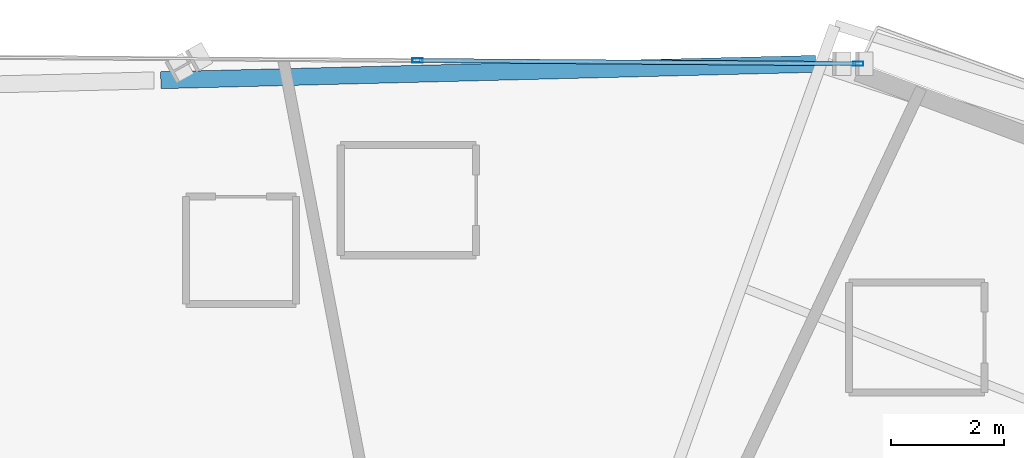
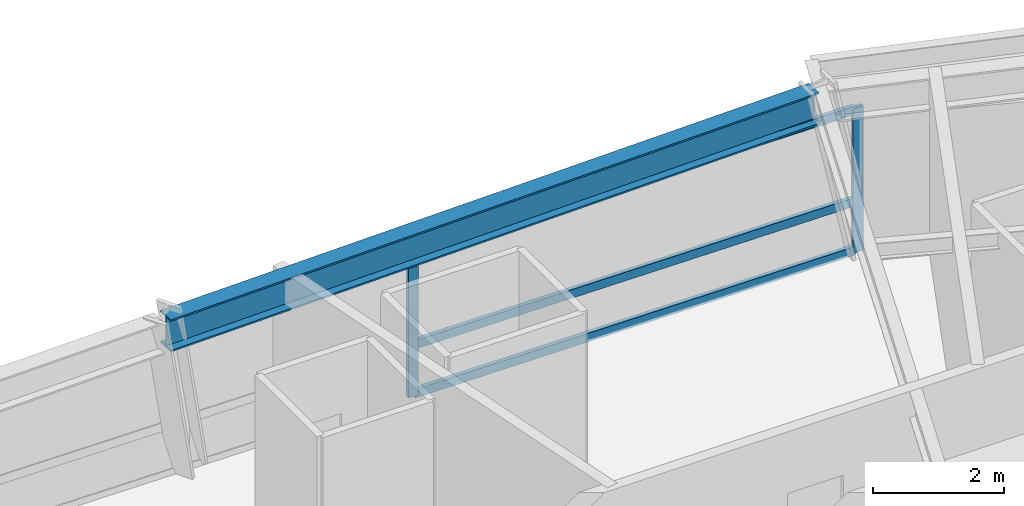
# One storey, part 9 of 22: 5 members, 1 beam, 1 element without a shape of its own.
"""IFC4 building model written with IfcOpenShell, lengths in metres."""

from ifc_helpers import new_model, si_unit, direction, frame, origin, origin_2d, place, context, subcontext, project, spatial, hollow_rectangle, i_section, extrude, source, transform, mapped, material, material_profile, profile_set, type_object, element, aggregate, save


model = new_model("IFC4")

# Units and contexts
model_context = context("Model", 3, precision=1e-05, world=origin(), true_north=direction((0.0, 1.0)))
body_context = subcontext(model_context, "Body", "Model", "MODEL_VIEW")
ifc_project = project(units=[si_unit("LENGTHUNIT", "METRE"), si_unit("AREAUNIT", "SQUARE_METRE"), si_unit("VOLUMEUNIT", "CUBIC_METRE"), si_unit("PLANEANGLEUNIT", "RADIAN"), si_unit("MASSUNIT", "GRAM", prefix="KILO")], contexts=[model_context])

# Site, building, storey
site_placement = place(None, origin())
site = spatial("IfcSite", under=ifc_project, at=site_placement, CompositionType="ELEMENT")
building_placement = place(site_placement, origin())
building = spatial("IfcBuilding", under=site, at=building_placement, Name="Olszyna Solenne Hotel", CompositionType="ELEMENT")
storey_placement = place(building_placement, frame((0.0, 0.0, 95.050048828125)))
storey = spatial("IfcBuildingStorey", under=building, at=storey_placement, Name="L24", CompositionType="ELEMENT", Elevation=95.050048828125)

# Beam
ifc_material_1 = material(Name="Steel S355J2", Category="steel")
ifc_material_profile_1 = material_profile(ifc_material_1, i_section(OverallWidth=0.300048828125, OverallDepth=0.60009765625, WebThickness=0.015380859375, FlangeThickness=0.030029296875, at=origin_2d()), Name="HEB 600", Category="load-bearing")
ifc_profile_set_1 = profile_set([ifc_material_profile_1], Name="Steel S355J2")
beam_type = type_object("IfcBeamType", Name="BM-S2", PredefinedType="BEAM", material=ifc_profile_set_1)
shared_shape_1 = source(origin(), body_context, "Body", "SweptSolid", [
    extrude(i_section(OverallWidth=0.300048828125, OverallDepth=0.60009765625, WebThickness=0.015380859375, FlangeThickness=0.030029296875, at=origin_2d()), origin(), (0.0, 0.0, 1.0), 11.60400390625),
])
beam_placement = place(storey_placement, frame((44.10009765625, 43.979248046875, 3.0), z_axis=(-0.999687580698, -0.024994819444, 0.0), x_axis=(0.024994819444, -0.999687580698, 0.0)))
element("IfcBeam", 1, at=beam_placement, inside=storey, type_object=beam_type, Name="Perimeter spandrel beam BM-S2 B-L24-0722", PredefinedType="BEAM", context=body_context, shape_type="MappedRepresentation", body=[
    mapped(shared_shape_1, transform((0.0, 0.0, 0.0), x_axis=(1.0, 0.0, 0.0), y_axis=(0.0, 1.0, 0.0), z_axis=(0.0, 0.0, 1.0), scale=1.0)),
])

# Curtain wall, members
ifc_material_2 = material(Name="Anodised bronze aluminium", Category="aluminium")
curtain_wall_type = type_object("IfcCurtainWallType", Name="CW-SYS-3", PredefinedType="NOTDEFINED", material=ifc_material_2)
curtain_wall_placement = place(storey_placement, origin())
curtain_wall = element("IfcCurtainWall", 2, at=curtain_wall_placement, inside=storey, type_object=curtain_wall_type, Name="Unitised curtain wall CW-SYS-3 CW-L24-02", PredefinedType="NOTDEFINED")
ifc_material_profile_2 = material_profile(ifc_material_2, hollow_rectangle(XDim=0.074951171875, YDim=0.159912109375, WallThickness=0.00390625, at=origin_2d()), Name="TRAN 160x75x4", Category="load-bearing")
ifc_profile_set_2 = profile_set([ifc_material_profile_2], Name="Anodised bronze aluminium")
member_type_1 = type_object("IfcMemberType", Name="CW-T1", PredefinedType="USERDEFINED", material=ifc_profile_set_2)
shared_shape_2 = source(origin(), body_context, "Body", "SweptSolid", [
    extrude(hollow_rectangle(XDim=0.074951171875, YDim=0.159912109375, WallThickness=0.00390625, at=origin_2d()), origin(), (0.0, 0.0, 1.0), 7.7353515625),
])
member_1_placement = place(storey_placement, frame((37.086181640625, 44.03955078125, 0.037353515625), z_axis=(0.999971310617, -0.007574822919, 0.0), x_axis=(0.007574822919, 0.999971310617, 0.0)))
member_1 = element("IfcMember", 3, at=member_1_placement, type_object=member_type_1, Name="Curtain-wall transom CW-T1 CT-L24-02-07", ObjectType="TRANSOM", PredefinedType="USERDEFINED", context=body_context, shape_type="MappedRepresentation", body=[
    mapped(shared_shape_2, transform((0.0, 0.0, 0.0), x_axis=(1.0, 0.0, 0.0), y_axis=(0.0, 1.0, 0.0), z_axis=(0.0, 0.0, 1.0), scale=1.0)),
])
member_2_placement = place(storey_placement, frame((37.086181640625, 44.03955078125, 0.949951171875), z_axis=(0.999971310617, -0.007574822919, 0.0), x_axis=(0.007574822919, 0.999971310617, 0.0)))
member_2 = element("IfcMember", 4, at=member_2_placement, type_object=member_type_1, Name="Curtain-wall transom CW-T1 CT-L24-02-08", ObjectType="TRANSOM", PredefinedType="USERDEFINED", context=body_context, shape_type="MappedRepresentation", body=[
    mapped(shared_shape_2, transform((0.0, 0.0, 0.0), x_axis=(1.0, 0.0, 0.0), y_axis=(0.0, 1.0, 0.0), z_axis=(0.0, 0.0, 1.0), scale=1.0)),
])
member_3_placement = place(storey_placement, frame((37.086181640625, 44.03955078125, 2.654541015625), z_axis=(0.999971310617, -0.007574822919, 0.0), x_axis=(0.007574822919, 0.999971310617, 0.0)))
member_3 = element("IfcMember", 5, at=member_3_placement, type_object=member_type_1, Name="Curtain-wall transom CW-T1 CT-L24-02-09", ObjectType="TRANSOM", PredefinedType="USERDEFINED", context=body_context, shape_type="MappedRepresentation", body=[
    mapped(shared_shape_2, transform((0.0, 0.0, 0.0), x_axis=(1.0, 0.0, 0.0), y_axis=(0.0, 1.0, 0.0), z_axis=(0.0, 0.0, 1.0), scale=1.0)),
])
ifc_material_profile_3 = material_profile(ifc_material_2, hollow_rectangle(XDim=0.074951171875, YDim=0.179931640625, WallThickness=0.00439453125, at=origin_2d()), Name="MULL 180x75x4.5", Category="load-bearing")
ifc_profile_set_3 = profile_set([ifc_material_profile_3], Name="Anodised bronze aluminium")
member_type_2 = type_object("IfcMemberType", Name="CW-M2", PredefinedType="MULLION", material=ifc_profile_set_3)
shared_shape_3 = source(origin(), body_context, "Body", "SweptSolid", [
    extrude(hollow_rectangle(XDim=0.074951171875, YDim=0.179931640625, WallThickness=0.00439453125, at=origin_2d()), origin(), (0.0, 0.0, 1.0), 2.69189453125),
])
member_4_placement = place(storey_placement, frame((37.048828125, 44.039794921875, 0.0), z_axis=(0.0, 0.0, 1.0), x_axis=(0.007564793352, 0.999971386541, 0.0)))
member_4 = element("IfcMember", 6, at=member_4_placement, type_object=member_type_2, Name="Curtain-wall mullion CW-M2 CM-L24-02-03", PredefinedType="MULLION", context=body_context, shape_type="MappedRepresentation", body=[
    mapped(shared_shape_3, transform((0.0, 0.0, 0.0), x_axis=(1.0, 0.0, 0.0), y_axis=(0.0, 1.0, 0.0), z_axis=(0.0, 0.0, 1.0), scale=1.0)),
])
member_5_placement = place(storey_placement, frame((44.85888671875, 43.980712890625, 0.0), z_axis=(0.0, 0.0, 1.0), x_axis=(0.007564793352, 0.999971386541, 0.0)))
member_5 = element("IfcMember", 7, at=member_5_placement, type_object=member_type_2, Name="Curtain-wall mullion CW-M2 CM-L24-02-04", PredefinedType="MULLION", context=body_context, shape_type="MappedRepresentation", body=[
    mapped(shared_shape_3, transform((0.0, 0.0, 0.0), x_axis=(1.0, 0.0, 0.0), y_axis=(0.0, 1.0, 0.0), z_axis=(0.0, 0.0, 1.0), scale=1.0)),
])
aggregate(curtain_wall, [member_4, member_5, member_1, member_2, member_3])

save(model, "model.ifc")
